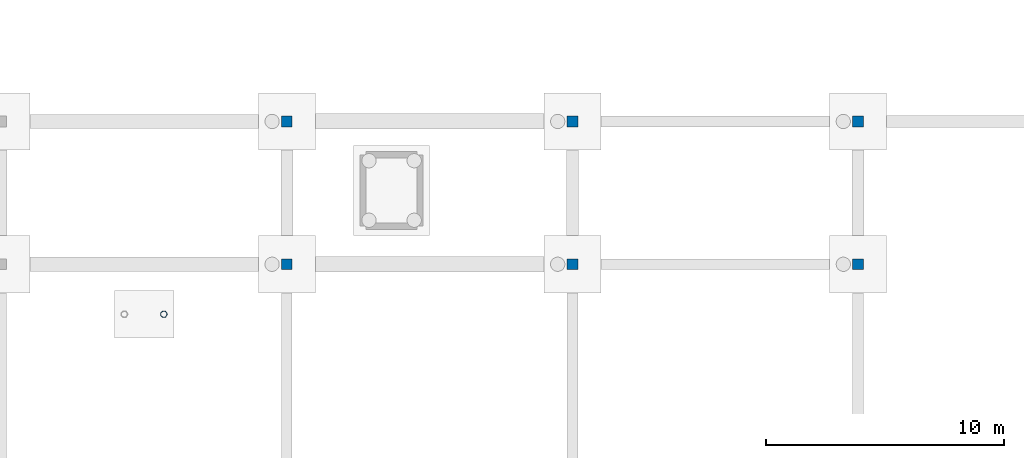
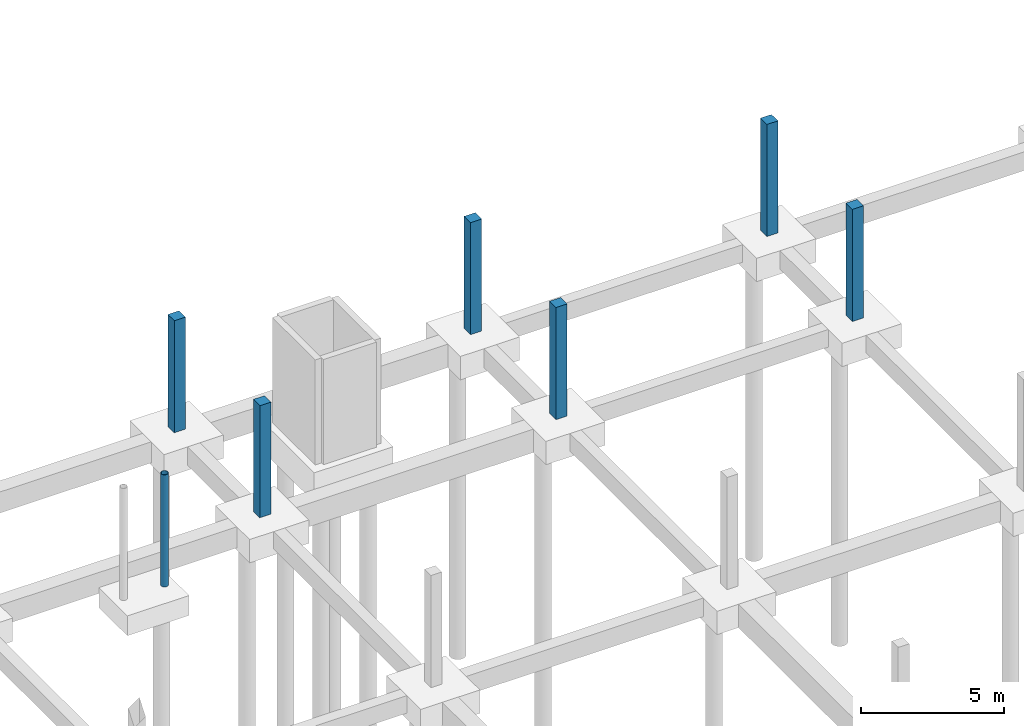
# One storey, part 14 of 31: 7 columns.
"""IFC4 building model written with IfcOpenShell, lengths in metres."""

from ifc_helpers import new_model, si_unit, direction, frame, origin, origin_2d, place, context, subcontext, project, spatial, rectangle, hollow_circle, extrude, material, material_profile, profile_set, type_object, element, save


model = new_model("IFC4")

# Units and contexts
model_context = context("Model", 3, precision=1e-05, world=origin(), true_north=direction((0.0, 1.0)))
body_context = subcontext(model_context, "Body", "Model", "MODEL_VIEW")
ifc_project = project(units=[si_unit("LENGTHUNIT", "METRE"), si_unit("AREAUNIT", "SQUARE_METRE"), si_unit("VOLUMEUNIT", "CUBIC_METRE"), si_unit("PLANEANGLEUNIT", "RADIAN"), si_unit("MASSUNIT", "GRAM", prefix="KILO")], contexts=[model_context])

# Site, building, storey
site_placement = place(None, origin())
site = spatial("IfcSite", under=ifc_project, at=site_placement, CompositionType="ELEMENT")
building_placement = place(site_placement, origin())
building = spatial("IfcBuilding", under=site, at=building_placement, Name="Merenkruunu Market Hall", CompositionType="ELEMENT")
storey_placement = place(building_placement, frame((0.0, 0.0, -4.800048828125)))
storey = spatial("IfcBuildingStorey", under=building, at=storey_placement, Name="B1", CompositionType="ELEMENT", Elevation=-4.800048828125)

# Columns
ifc_material_1 = material(Name="Steel S355ML", Category="steel")
ifc_material_profile_1 = material_profile(ifc_material_1, hollow_circle(Radius=0.136474609375, WallThickness=0.012451171875, at=origin_2d()), Name="CHS 273x12.5")
ifc_profile_set_1 = profile_set([ifc_material_profile_1], Name="Steel S355ML")
column_type_1 = type_object("IfcColumnType", Name="Structural Column C14", PredefinedType="COLUMN", material=ifc_profile_set_1)
column_placement = place(storey_placement, frame((95.6298828125, 37.5, 0.0), z_axis=(0.0, 0.0, 1.0), x_axis=(1.0, 0.0, 0.0)))
element("IfcColumn", 1, at=column_placement, inside=storey, type_object=column_type_1, Name="COL-FST-4-2-B1", PredefinedType="COLUMN", context=body_context, shape_type="SweptSolid", body=[
    extrude(hollow_circle(Radius=0.136474609375, WallThickness=0.012451171875, at=origin_2d()), origin(), (0.0, 0.0, 1.0), 4.800048828125),
])
ifc_material_2 = material(Name="Concrete C35/45", Category="concrete")
ifc_material_profile_2 = material_profile(ifc_material_2, rectangle(XDim=0.449951171875, YDim=0.449951171875, at=origin_2d()), Name="RC 450x450")
ifc_profile_set_2 = profile_set([ifc_material_profile_2], Name="Concrete C35/45")
column_type_2 = type_object("IfcColumnType", Name="Structural Column C19", PredefinedType="COLUMN", material=ifc_profile_set_2)
for number, where, z_axis, x_axis, name in (
    (2, (100.800048828125, 39.60009765625, 0.0), (0.0, 0.0, 1.0), (1.0, 0.0, 0.0), "COL-B1-L-05"),
    (3, (100.800048828125, 45.60009765625, 0.0), (0.0, 0.0, 1.0), (1.0, 0.0, 0.0), "COL-B1-L-06"),
    (4, (112.800048828125, 39.60009765625, 0.0), (0.0, 0.0, 1.0), (1.0, 0.0, 0.0), "COL-B1-M-05"),
    (5, (112.800048828125, 45.60009765625, 0.0), (0.0, 0.0, 1.0), (1.0, 0.0, 0.0), "COL-B1-M-06"),
    (6, (124.800048828125, 39.60009765625, 0.0), (0.0, 0.0, 1.0), (1.0, 0.0, 0.0), "COL-B1-N-05"),
    (7, (124.800048828125, 45.60009765625, 0.0), (0.0, 0.0, 1.0), (1.0, 0.0, 0.0), "COL-B1-N-06"),
):
    element("IfcColumn", number, at=place(storey_placement, frame(where, z_axis=z_axis, x_axis=x_axis)), inside=storey, type_object=column_type_2, Name=name, PredefinedType="COLUMN", context=body_context, shape_type="SweptSolid", body=[
        extrude(rectangle(XDim=0.449951171875, YDim=0.449951171875, at=origin_2d()), origin(), (0.0, 0.0, 1.0), 4.800048828125),
    ])

save(model, "model.ifc")
